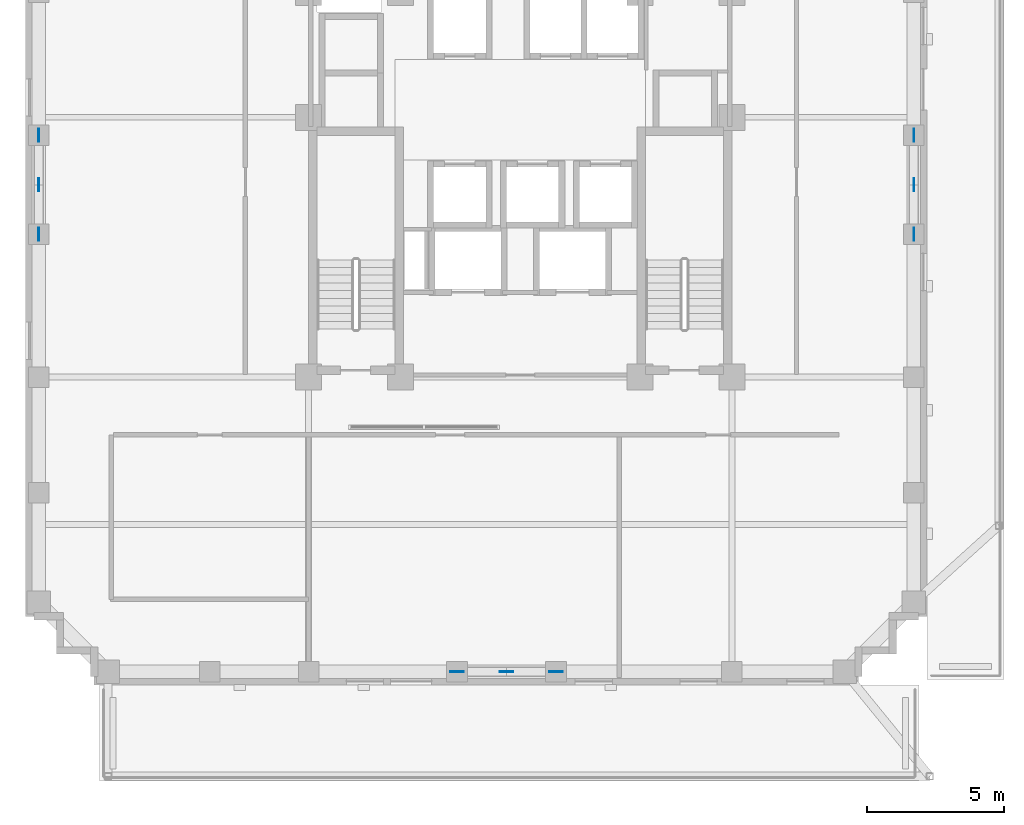
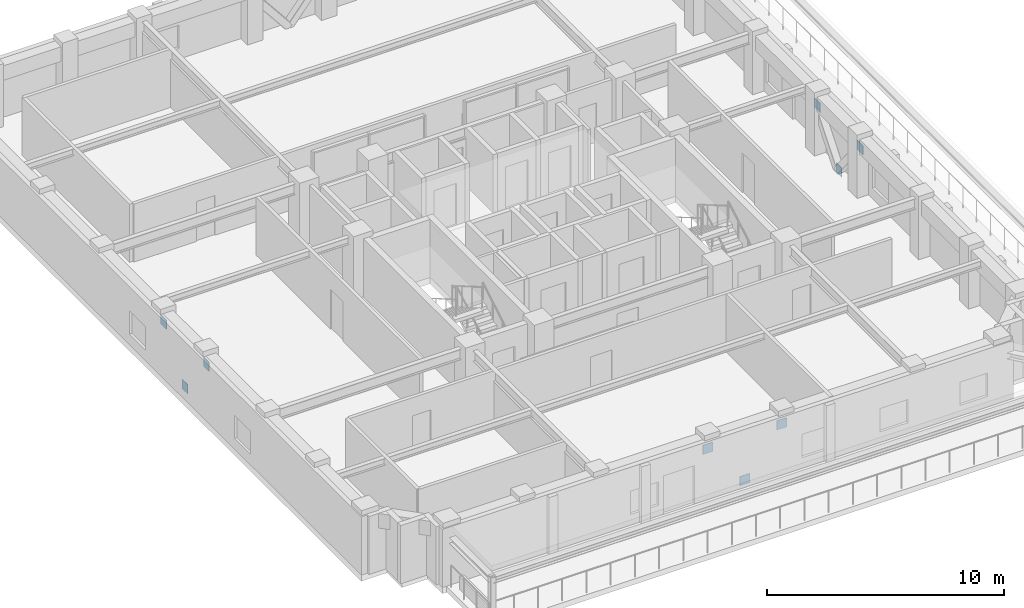
# One storey, part 11 of 15: 9 discrete accessories.
"""IFC4 building model written with IfcOpenShell, lengths in metres."""

from ifc_helpers import new_model, si_unit, derived_unit, direction, frame, origin, origin_2d, place, context, subcontext, project, spatial, rectangle, extrude, material, layer, layer_set, type_object, element, save


model = new_model("IFC4")

# Units and contexts
model_context = context("Model", 3, precision=1e-05, world=origin(), true_north=direction((0.0, 1.0)))
body_context = subcontext(model_context, "Body", "Model", "MODEL_VIEW")
ifc_project = project(units=[si_unit("LENGTHUNIT", "METRE"), si_unit("AREAUNIT", "SQUARE_METRE"), si_unit("VOLUMEUNIT", "CUBIC_METRE"), si_unit("PLANEANGLEUNIT", "RADIAN"), si_unit("MASSUNIT", "GRAM", prefix="KILO"), derived_unit("THERMALTRANSMITTANCEUNIT", [(si_unit("MASSUNIT", "GRAM", prefix="KILO"), 1), (si_unit("TIMEUNIT", "SECOND"), -3), (si_unit("THERMODYNAMICTEMPERATUREUNIT", "KELVIN"), -1)])], contexts=[model_context])

# Site, building, storey
site_placement = place(None, origin())
site = spatial("IfcSite", under=ifc_project, at=site_placement, CompositionType="ELEMENT")
building_placement = place(site_placement, origin())
building = spatial("IfcBuilding", under=site, at=building_placement, Name="Korrvale Station Residences", CompositionType="ELEMENT")
storey_placement = place(building_placement, frame((0.0, 0.0, 124.39990234375)))
storey = spatial("IfcBuildingStorey", under=building, at=storey_placement, Name="L35", CompositionType="ELEMENT", Elevation=124.39990234375)

# Discrete accessories
ifc_material = material(Name="Steel S355", Category="steel")
ifc_layer = layer(ifc_material, 0.02490234375, Name="Steel S355")
ifc_layer_set = layer_set([ifc_layer], Name="Steel S355")
discrete_accessory_type = type_object("IfcDiscreteAccessoryType", Name="ACC-GUSSET-25", PredefinedType="BRACKET", material=ifc_layer_set)
for number, where, z_axis, x_axis, name in (
    (1, (25.0, 4.280029296875, -0.219970703125), (0.0, 0.0, 1.0), (1.0, 0.0, 0.0), "L35 S Brace End Gusset Connection M"),
    (2, (23.199951171875, 4.280029296875, 2.02001953125), (0.0, 0.0, 1.0), (1.0, 0.0, 0.0), "L35 S Brace End Gusset Connection A"),
    (3, (26.800048828125, 4.280029296875, 2.02001953125), (0.0, 0.0, 1.0), (1.0, 0.0, 0.0), "L35 S Brace End Gusset Connection B"),
    (4, (7.97998046875, 22.0, -0.219970703125), (0.0, 0.0, 1.0), (0.0, 1.0, 0.0), "L35 W Brace End Gusset Connection M"),
    (5, (7.97998046875, 20.199951171875, 2.02001953125), (0.0, 0.0, 1.0), (0.0, 1.0, 0.0), "L35 W Brace End Gusset Connection A"),
    (6, (7.97998046875, 23.800048828125, 2.02001953125), (0.0, 0.0, 1.0), (0.0, 1.0, 0.0), "L35 W Brace End Gusset Connection B"),
    (7, (39.820068359375, 22.0, -0.219970703125), (0.0, 0.0, 1.0), (0.0, 1.0, 0.0), "L35 E Brace End Gusset Connection M"),
    (8, (39.820068359375, 20.199951171875, 2.02001953125), (0.0, 0.0, 1.0), (0.0, 1.0, 0.0), "L35 E Brace End Gusset Connection A"),
    (9, (39.820068359375, 23.800048828125, 2.02001953125), (0.0, 0.0, 1.0), (0.0, 1.0, 0.0), "L35 E Brace End Gusset Connection B"),
):
    element("IfcDiscreteAccessory", number, at=place(storey_placement, frame(where, z_axis=z_axis, x_axis=x_axis)), inside=storey, type_object=discrete_accessory_type, Name=name, PredefinedType="BRACKET", context=body_context, shape_type="SweptSolid", body=[
        extrude(rectangle(XDim=0.47998046875, YDim=0.02490234375, at=origin_2d()), origin(), (0.0, 0.0, 1.0), 0.47998046875),
    ])

save(model, "model.ifc")
